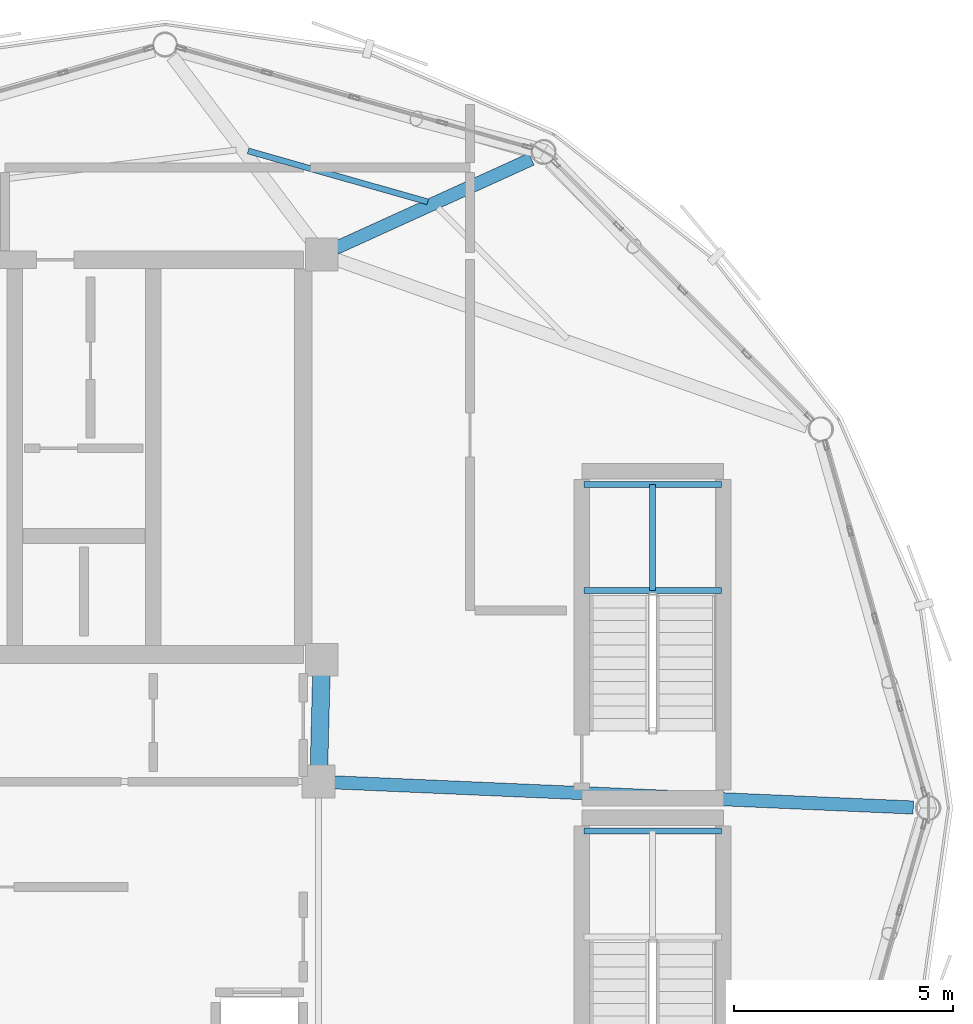
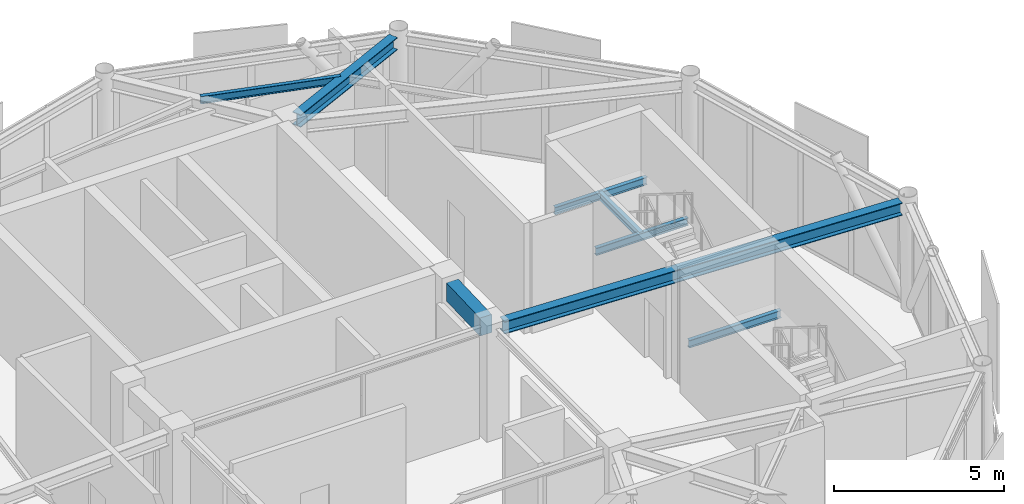
# One storey, part 10 of 20: 8 beams.
"""IFC4 building model written with IfcOpenShell, lengths in metres."""

from ifc_helpers import new_model, si_unit, direction, frame, origin, origin_2d, place, context, subcontext, project, spatial, rectangle, i_section, extrude, material, material_profile, profile_set, type_object, element, save


model = new_model("IFC4")

# Units and contexts
model_context = context("Model", 3, precision=1e-05, world=origin(), true_north=direction((0.0, 1.0)))
body_context = subcontext(model_context, "Body", "Model", "MODEL_VIEW")
ifc_project = project(units=[si_unit("LENGTHUNIT", "METRE"), si_unit("AREAUNIT", "SQUARE_METRE"), si_unit("VOLUMEUNIT", "CUBIC_METRE"), si_unit("PLANEANGLEUNIT", "RADIAN"), si_unit("MASSUNIT", "GRAM", prefix="KILO")], contexts=[model_context])

# Site, building, storey
site_placement = place(None, origin())
site = spatial("IfcSite", under=ifc_project, at=site_placement, CompositionType="ELEMENT")
building_placement = place(site_placement, origin())
building = spatial("IfcBuilding", under=site, at=building_placement, Name="Varnakorn Sky Granary", CompositionType="ELEMENT")
storey_placement = place(building_placement, frame((0.0, 0.0, 306.60009765625)))
storey = spatial("IfcBuildingStorey", under=building, at=storey_placement, Name="L78", CompositionType="ELEMENT", Elevation=306.60009765625)

# Beams
ifc_material_1 = material(Name="Concrete C50/60", Category="concrete")
ifc_material_profile_1 = material_profile(ifc_material_1, rectangle(XDim=0.39990234375, YDim=0.64990234375, at=origin_2d()), Name="RC 400x650")
ifc_profile_set_1 = profile_set([ifc_material_profile_1], Name="Concrete C50/60")
beam_type_1 = type_object("IfcBeamType", Name="BM-LIN-650", PredefinedType="LINTEL", material=ifc_profile_set_1)
beam_1_placement = place(storey_placement, frame((8.4111328125, 3.025146484375, 3.635009765625), z_axis=(-0.025227817192, -0.999681727971, 0.0), x_axis=(0.999681727971, -0.025227817192, 0.0)))
element("IfcBeam", 1, at=beam_1_placement, inside=storey, type_object=beam_type_1, Name="Core Spine Framing Beam 2 L78", PredefinedType="LINTEL", context=body_context, shape_type="SweptSolid", body=[
    extrude(rectangle(XDim=0.39990234375, YDim=0.64990234375, at=origin_2d()), origin(), (0.0, 0.0, 1.0), 2.071044921875),
])
ifc_material_2 = material(Name="Steel S355JR", Category="steel")
ifc_material_profile_2 = material_profile(ifc_material_2, i_section(OverallWidth=0.135009765625, OverallDepth=0.27001953125, WebThickness=0.006591796875, FlangeThickness=0.01025390625, at=origin_2d()), Name="IPE 270")
ifc_profile_set_2 = profile_set([ifc_material_profile_2], Name="Steel S355JR")
beam_type_2 = type_object("IfcBeamType", Name="BM-LND-270", PredefinedType="BEAM", material=ifc_profile_set_2)
for number, where, z_axis, x_axis, name in (
    (2, (14.39990234375, 4.9599609375, 1.764892578125), (1.0, 0.0, 0.0), (0.0, 1.0, 0.0), "Stair ST-C1 Landing Trimmer Beam A L78-1"),
    (3, (14.39990234375, 7.3798828125, 1.764892578125), (1.0, 0.0, 0.0), (0.0, 1.0, 0.0), "Stair ST-C1 Landing Trimmer Beam B L78-1"),
):
    element("IfcBeam", number, at=place(storey_placement, frame(where, z_axis=z_axis, x_axis=x_axis)), inside=storey, type_object=beam_type_2, Name=name, PredefinedType="BEAM", context=body_context, shape_type="SweptSolid", body=[
        extrude(i_section(OverallWidth=0.135009765625, OverallDepth=0.27001953125, WebThickness=0.006591796875, FlangeThickness=0.01025390625, at=origin_2d()), origin(), (0.0, 0.0, 1.0), 3.130126953125),
    ])
beam_2_placement = place(storey_placement, frame((15.965087890625, 4.9599609375, 1.764892578125), z_axis=(0.0, 1.0, 0.0), x_axis=(-1.0, 0.0, 0.0)))
element("IfcBeam", 4, at=beam_2_placement, inside=storey, type_object=beam_type_2, Name="Stair ST-C1 Landing Cross Beam C L78-1", PredefinedType="BEAM", context=body_context, shape_type="SweptSolid", body=[
    extrude(i_section(OverallWidth=0.135009765625, OverallDepth=0.27001953125, WebThickness=0.006591796875, FlangeThickness=0.01025390625, at=origin_2d()), origin(), (0.0, 0.0, 1.0), 2.419921875),
])
beam_3_placement = place(storey_placement, frame((14.39990234375, -0.52001953125, 1.764892578125), z_axis=(1.0, 0.0, 0.0), x_axis=(0.0, 1.0, 0.0)))
element("IfcBeam", 5, at=beam_3_placement, inside=storey, type_object=beam_type_2, Name="Stair ST-C2 Landing Trimmer Beam B L78-1", PredefinedType="BEAM", context=body_context, shape_type="SweptSolid", body=[
    extrude(i_section(OverallWidth=0.135009765625, OverallDepth=0.27001953125, WebThickness=0.006591796875, FlangeThickness=0.01025390625, at=origin_2d()), origin(), (0.0, 0.0, 1.0), 3.130126953125),
])
ifc_material_profile_3 = material_profile(ifc_material_2, i_section(OverallWidth=0.300048828125, OverallDepth=0.449951171875, WebThickness=0.013916015625, FlangeThickness=0.02587890625, at=origin_2d()), Name="HE 450 B")
ifc_profile_set_3 = profile_set([ifc_material_profile_3], Name="Steel S355JR")
beam_type_3 = type_object("IfcBeamType", Name="BM-RAD-Z5", PredefinedType="BEAM", material=ifc_profile_set_3)
beam_4_placement = place(storey_placement, frame((8.70458984375, 0.584716796875, 3.73486328125), z_axis=(0.99905866651, -0.04337949828, 0.0), x_axis=(0.04337949828, 0.99905866651, 0.0)))
element("IfcBeam", 6, at=beam_4_placement, inside=storey, type_object=beam_type_3, Name="Radial Floor Girder RG01 L78", PredefinedType="BEAM", context=body_context, shape_type="SweptSolid", body=[
    extrude(i_section(OverallWidth=0.300048828125, OverallDepth=0.449951171875, WebThickness=0.013916015625, FlangeThickness=0.02587890625, at=origin_2d()), origin(), (0.0, 0.0, 1.0), 13.214599609375),
])
beam_5_placement = place(storey_placement, frame((8.7431640625, 12.766845703125, 3.73486328125), z_axis=(0.910400615958, 0.413727831387, 0.0), x_axis=(-0.413727831387, 0.910400615958, 0.0)))
element("IfcBeam", 7, at=beam_5_placement, inside=storey, type_object=beam_type_3, Name="Radial Floor Girder RG03 L78", PredefinedType="BEAM", context=body_context, shape_type="SweptSolid", body=[
    extrude(i_section(OverallWidth=0.300048828125, OverallDepth=0.449951171875, WebThickness=0.013916015625, FlangeThickness=0.02587890625, at=origin_2d()), origin(), (0.0, 0.0, 1.0), 4.897705078125),
])
ifc_material_profile_4 = material_profile(ifc_material_2, i_section(OverallWidth=0.135009765625, OverallDepth=0.27001953125, WebThickness=0.006591796875, FlangeThickness=0.01025390625, at=origin_2d()), Name="IPE 270")
ifc_profile_set_4 = profile_set([ifc_material_profile_4], Name="Steel S355JR")
beam_type_4 = type_object("IfcBeamType", Name="BM-SEC-Z5", PredefinedType="BEAM", material=ifc_profile_set_4)
beam_6_placement = place(storey_placement, frame((10.837890625, 13.818115234375, 3.824951171875), z_axis=(-0.962065280583, 0.272819346631, 0.0), x_axis=(-0.272819346631, -0.962065280583, 0.0)))
element("IfcBeam", 8, at=beam_6_placement, inside=storey, type_object=beam_type_4, Name="Secondary Floor Chord Beam MSB03 L78", PredefinedType="BEAM", context=body_context, shape_type="SweptSolid", body=[
    extrude(i_section(OverallWidth=0.135009765625, OverallDepth=0.27001953125, WebThickness=0.006591796875, FlangeThickness=0.01025390625, at=origin_2d()), origin(), (0.0, 0.0, 1.0), 4.2568359375),
])

save(model, "model.ifc")
